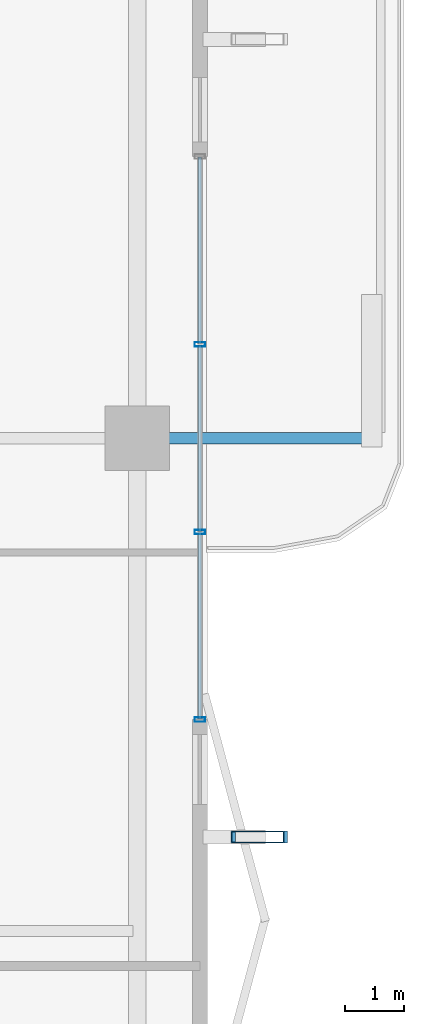
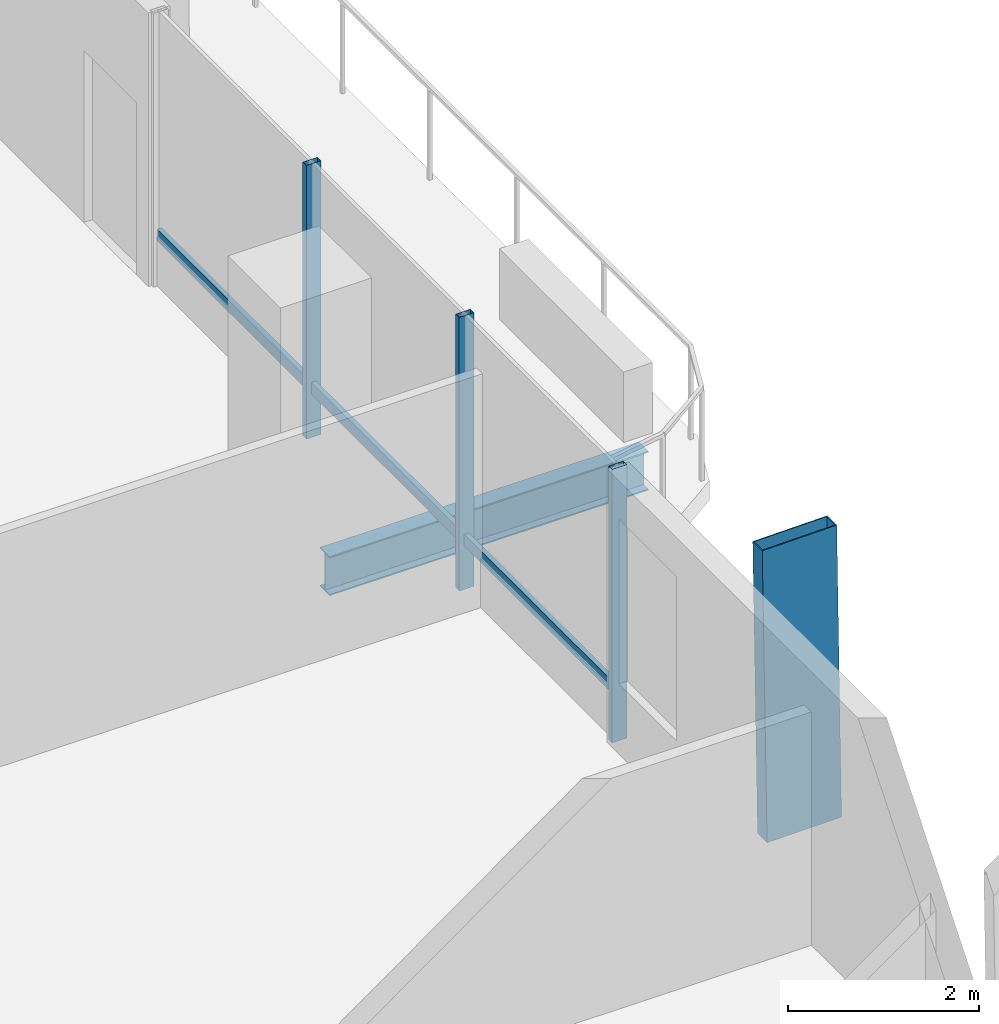
# One storey, part 10 of 25: 7 members, 1 beam, 1 element without a shape of its own.
"""IFC4 building model written with IfcOpenShell, lengths in metres."""

from ifc_helpers import new_model, si_unit, direction, frame, origin, origin_2d, place, context, subcontext, project, spatial, hollow_rectangle, i_section, extrude, material, layer, layer_set, material_profile, profile_set, type_object, element, aggregate, save


model = new_model("IFC4")

# Units and contexts
model_context = context("Model", 3, precision=1e-05, world=origin(), true_north=direction((0.0, 1.0)))
body_context = subcontext(model_context, "Body", "Model", "MODEL_VIEW")
ifc_project = project(units=[si_unit("LENGTHUNIT", "METRE"), si_unit("AREAUNIT", "SQUARE_METRE"), si_unit("VOLUMEUNIT", "CUBIC_METRE"), si_unit("PLANEANGLEUNIT", "RADIAN"), si_unit("MASSUNIT", "GRAM", prefix="KILO")], contexts=[model_context])

# Site, building, storey
site_placement = place(None, origin())
site = spatial("IfcSite", under=ifc_project, at=site_placement, CompositionType="ELEMENT")
building_placement = place(site_placement, origin())
building = spatial("IfcBuilding", under=site, at=building_placement, Name="Belovzor Exchange Tower", CompositionType="ELEMENT")
storey_placement = place(building_placement, frame((0.0, 0.0, 175.800048828125)))
storey = spatial("IfcBuildingStorey", under=building, at=storey_placement, Name="L43", CompositionType="ELEMENT", Elevation=175.800048828125)

# Beam
ifc_material_1 = material(Name="Steel S355", Category="steel")
ifc_material_profile_1 = material_profile(ifc_material_1, i_section(OverallWidth=0.199951171875, OverallDepth=0.5, WebThickness=0.01025390625, FlangeThickness=0.01611328125, at=origin_2d()))
ifc_profile_set_1 = profile_set([ifc_material_profile_1], Name="Steel S355")
beam_type = type_object("IfcBeamType", Name="Planted Balcony Cantilever Beam IPE 500", PredefinedType="BEAM", material=ifc_profile_set_1)
beam_placement = place(storey_placement, frame((52.202880859375, 28.800048828125, -0.505126953125), z_axis=(1.0, 0.0, 0.0), x_axis=(0.0, 1.0, 0.0)))
element("IfcBeam", 1, at=beam_placement, inside=storey, type_object=beam_type, Name="BC-500 Planted Balcony Cantilever Beam IPE 500", PredefinedType="BEAM", context=body_context, shape_type="SweptSolid", body=[
    extrude(i_section(OverallWidth=0.199951171875, OverallDepth=0.5, WebThickness=0.01025390625, FlangeThickness=0.01611328125, at=origin_2d()), origin(), (0.0, 0.0, 1.0), 3.85009765625),
])

# Member
ifc_material_2 = material(Name="Extruded Architectural Terracotta on Steel S355 Carrier", Category="masonry")
ifc_material_profile_2 = material_profile(ifc_material_2, hollow_rectangle(XDim=0.199951171875, YDim=0.89990234375, WallThickness=0.011962890625, at=origin_2d()))
ifc_profile_set_2 = profile_set([ifc_material_profile_2], Name="Extruded Architectural Terracotta on Steel S355 Carrier")
member_type_1 = type_object("IfcMemberType", Name="Sweeping Terracotta Baguette Fin Assembly 1250", PredefinedType="USERDEFINED", material=ifc_profile_set_2)
member_1_placement = place(storey_placement, frame((54.010986328125, 22.0, -0.255126953125), z_axis=(-0.01549293194, 0.0, 0.999879977327), x_axis=(0.0, -1.0, 0.0)))
element("IfcMember", 2, at=member_1_placement, inside=storey, type_object=member_type_1, Name="FIN-TC125 Terracotta Facade Fin L43 E2", ObjectType="FIN", PredefinedType="USERDEFINED", context=body_context, shape_type="SweptSolid", body=[
    extrude(hollow_rectangle(XDim=0.199951171875, YDim=0.89990234375, WallThickness=0.011962890625, at=origin_2d()), origin(), (0.0, 0.0, 1.0), 3.75048828125),
])

# Curtain wall, members
ifc_material_3 = material(Name="Anodised Aluminium Framing", Category="aluminium")
ifc_layer = layer(ifc_material_3, 0.179931640625)
ifc_layer_set = layer_set([ifc_layer], Name="Anodised Aluminium Framing")
curtain_wall_type = type_object("IfcCurtainWallType", Name="Recessed Loggia Low-Iron Triple-Glazed Curtain Wall", PredefinedType="NOTDEFINED", material=ifc_layer_set)
curtain_wall_placement = place(storey_placement, origin())
curtain_wall = element("IfcCurtainWall", 3, at=curtain_wall_placement, inside=storey, type_object=curtain_wall_type, Name="CW3 Recessed Loggia Low-Iron Triple-Glazed Curtain Wall L43", PredefinedType="NOTDEFINED")
ifc_material_4 = material(Name="Steel S355", Category="steel")
ifc_material_profile_3 = material_profile(ifc_material_4, hollow_rectangle(XDim=0.074951171875, YDim=0.179931640625, WallThickness=0.0048828125, at=origin_2d()))
ifc_profile_set_3 = profile_set([ifc_material_profile_3], Name="Steel S355")
member_type_2 = type_object("IfcMemberType", Name="Thermally Broken Curtain Wall Mullion 180x75", PredefinedType="MULLION", material=ifc_profile_set_3)
member_2_placement = place(storey_placement, frame((52.969970703125, 30.39990234375, 0.0), z_axis=(0.0, 0.0, 1.0), x_axis=(0.0, -1.0, 0.0)))
member_2 = element("IfcMember", 4, at=member_2_placement, type_object=member_type_2, Name="CW-M180 Curtain Wall Mullion 2", PredefinedType="MULLION", context=body_context, shape_type="SweptSolid", body=[
    extrude(hollow_rectangle(XDim=0.074951171875, YDim=0.179931640625, WallThickness=0.0048828125, at=origin_2d()), origin(), (0.0, 0.0, 1.0), 3.494873046875),
])
member_3_placement = place(storey_placement, frame((52.969970703125, 27.199951171875, 0.0), z_axis=(0.0, 0.0, 1.0), x_axis=(0.0, -1.0, 0.0)))
member_3 = element("IfcMember", 5, at=member_3_placement, type_object=member_type_2, Name="CW-M180 Curtain Wall Mullion 3", PredefinedType="MULLION", context=body_context, shape_type="SweptSolid", body=[
    extrude(hollow_rectangle(XDim=0.074951171875, YDim=0.179931640625, WallThickness=0.0048828125, at=origin_2d()), origin(), (0.0, 0.0, 1.0), 3.494873046875),
])
member_4_placement = place(storey_placement, frame((52.969970703125, 24.0, 0.0), z_axis=(0.0, 0.0, 1.0), x_axis=(0.0, -1.0, 0.0)))
member_4 = element("IfcMember", 6, at=member_4_placement, type_object=member_type_2, Name="CW-M180 Curtain Wall Mullion 4", PredefinedType="MULLION", context=body_context, shape_type="SweptSolid", body=[
    extrude(hollow_rectangle(XDim=0.074951171875, YDim=0.179931640625, WallThickness=0.0048828125, at=origin_2d()), origin(), (0.0, 0.0, 1.0), 3.494873046875),
])
ifc_material_5 = material(Name="Steel S355", Category="steel")
ifc_material_profile_4 = material_profile(ifc_material_5, hollow_rectangle(XDim=0.06005859375, YDim=0.14990234375, WallThickness=0.00390625, at=origin_2d()))
ifc_profile_set_4 = profile_set([ifc_material_profile_4], Name="Steel S355")
member_type_3 = type_object("IfcMemberType", Name="Thermally Broken Curtain Wall Transom 150x60", PredefinedType="USERDEFINED", material=ifc_profile_set_4)
member_5_placement = place(storey_placement, frame((52.969970703125, 33.592041015625, 0.62890625), z_axis=(0.0, -1.0, 0.0), x_axis=(1.0, 0.0, 0.0)))
member_5 = element("IfcMember", 7, at=member_5_placement, type_object=member_type_3, Name="CW-T150 Curtain Wall Transom 1", ObjectType="TRANSOM", PredefinedType="USERDEFINED", context=body_context, shape_type="SweptSolid", body=[
    extrude(hollow_rectangle(XDim=0.06005859375, YDim=0.14990234375, WallThickness=0.00390625, at=origin_2d()), origin(), (0.0, 0.0, 1.0), 3.18408203125),
])
member_6_placement = place(storey_placement, frame((52.969970703125, 30.39208984375, 0.62890625), z_axis=(0.0, -1.0, 0.0), x_axis=(1.0, 0.0, 0.0)))
member_6 = element("IfcMember", 8, at=member_6_placement, type_object=member_type_3, Name="CW-T150 Curtain Wall Transom 2", ObjectType="TRANSOM", PredefinedType="USERDEFINED", context=body_context, shape_type="SweptSolid", body=[
    extrude(hollow_rectangle(XDim=0.06005859375, YDim=0.14990234375, WallThickness=0.00390625, at=origin_2d()), origin(), (0.0, 0.0, 1.0), 3.18408203125),
])
member_7_placement = place(storey_placement, frame((52.969970703125, 27.19189453125, 0.62890625), z_axis=(0.0, -1.0, 0.0), x_axis=(1.0, 0.0, 0.0)))
member_7 = element("IfcMember", 9, at=member_7_placement, type_object=member_type_3, Name="CW-T150 Curtain Wall Transom 3", ObjectType="TRANSOM", PredefinedType="USERDEFINED", context=body_context, shape_type="SweptSolid", body=[
    extrude(hollow_rectangle(XDim=0.06005859375, YDim=0.14990234375, WallThickness=0.00390625, at=origin_2d()), origin(), (0.0, 0.0, 1.0), 3.183837890625),
])
aggregate(curtain_wall, [member_2, member_3, member_4, member_5, member_6, member_7])

save(model, "model.ifc")
